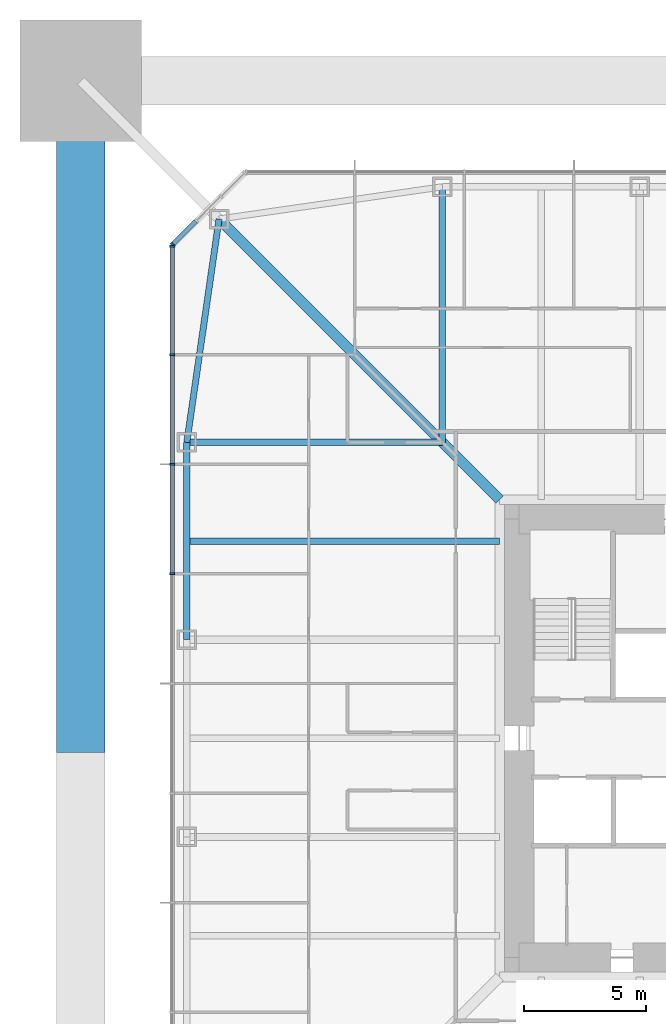
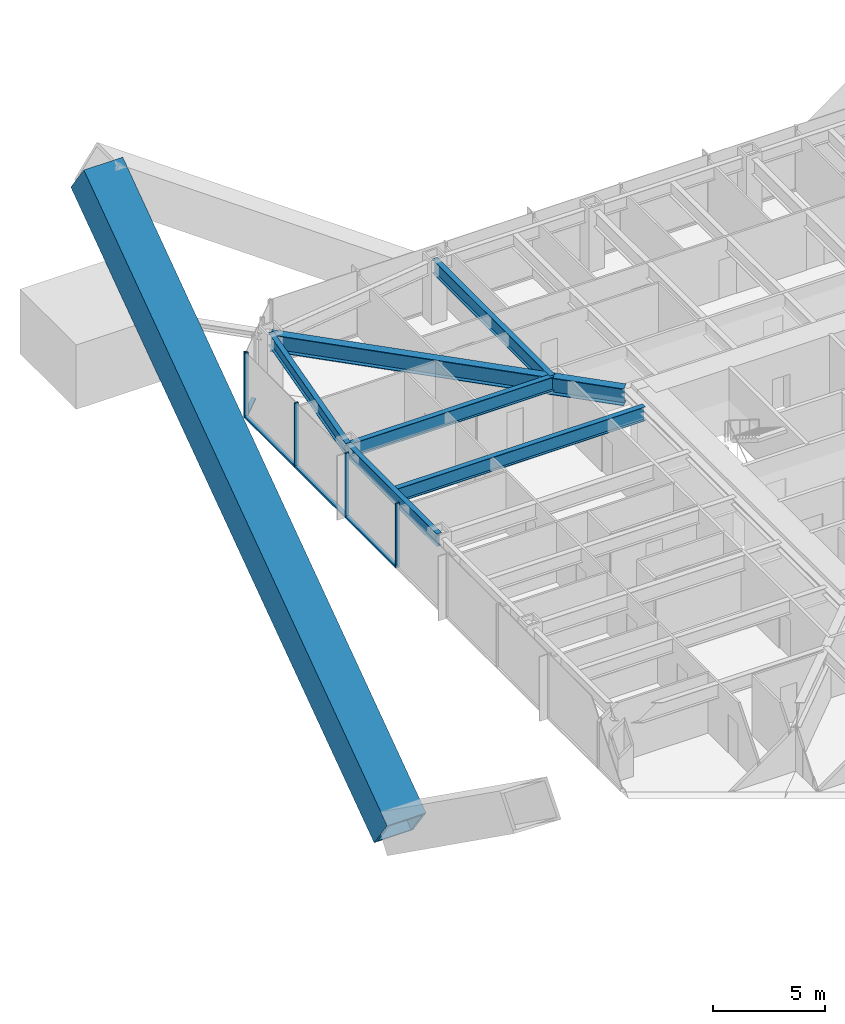
# One storey, part 7 of 28: 10 members, 6 beams, 2 elements without a shape of their own.
"""IFC4 building model written with IfcOpenShell, lengths in metres."""

from ifc_helpers import new_model, si_unit, direction, frame, origin, origin_2d, place, context, subcontext, project, spatial, rectangle, hollow_rectangle, i_section, extrude, material, material_profile, profile_set, type_object, element, aggregate, save


model = new_model("IFC4")

# Units and contexts
model_context = context("Model", 3, precision=1e-05, world=origin(), true_north=direction((0.0, 1.0)))
body_context = subcontext(model_context, "Body", "Model", "MODEL_VIEW")
ifc_project = project(units=[si_unit("LENGTHUNIT", "METRE"), si_unit("AREAUNIT", "SQUARE_METRE"), si_unit("VOLUMEUNIT", "CUBIC_METRE"), si_unit("PLANEANGLEUNIT", "RADIAN"), si_unit("MASSUNIT", "GRAM", prefix="KILO")], contexts=[model_context])

# Site, building, storey
site_placement = place(None, origin())
site = spatial("IfcSite", under=ifc_project, at=site_placement, CompositionType="ELEMENT")
building_placement = place(site_placement, origin())
building = spatial("IfcBuilding", under=site, at=building_placement, Name="Iwan Alto Co-Living Towers", CompositionType="ELEMENT")
storey_placement = place(building_placement, frame((0.0, 0.0, 64.0)))
storey = spatial("IfcBuildingStorey", under=building, at=storey_placement, Name="L17", CompositionType="ELEMENT", Elevation=64.0)

# Curtain wall, members
ifc_material_1 = material(Name="Bronze aluminium unitised frame", Category="aluminium")
curtain_wall_type_1 = type_object("IfcCurtainWallType", Name="CURTAIN WALL CW-A", PredefinedType="NOTDEFINED", material=ifc_material_1)
curtain_wall_1_placement = place(storey_placement, origin())
curtain_wall_1 = element("IfcCurtainWall", 1, at=curtain_wall_1_placement, inside=storey, type_object=curtain_wall_type_1, Name="T1 curtain wall W L17", PredefinedType="NOTDEFINED")
ifc_material_2 = material(Name="Aluminium 6063-T6 bronze anodised", Category="aluminium")
ifc_material_profile_1 = material_profile(ifc_material_2, rectangle(XDim=0.199951171875, YDim=0.080078125, at=origin_2d()), Name="AL 80X200")
ifc_profile_set_1 = profile_set([ifc_material_profile_1], Name="Aluminium 6063-T6 bronze anodised")
member_type_1 = type_object("IfcMemberType", Name="CW-A MULLION 80X200", PredefinedType="MULLION", material=ifc_profile_set_1)
member_1_placement = place(storey_placement, frame((-23.25, 20.2099609375, 0.0), z_axis=(0.0, 0.0, 1.0), x_axis=(1.0, 0.0, 0.0)))
member_1 = element("IfcMember", 2, at=member_1_placement, type_object=member_type_1, Name="CW-A mullion 1", PredefinedType="MULLION", context=body_context, shape_type="SweptSolid", body=[
    extrude(rectangle(XDim=0.199951171875, YDim=0.080078125, at=origin_2d()), origin(), (0.0, 0.0, 1.0), 3.5),
])
member_2_placement = place(storey_placement, frame((-23.25, 15.75, 0.0), z_axis=(0.0, 0.0, 1.0), x_axis=(1.0, 0.0, 0.0)))
member_2 = element("IfcMember", 3, at=member_2_placement, type_object=member_type_1, Name="CW-A mullion 2", PredefinedType="MULLION", context=body_context, shape_type="SweptSolid", body=[
    extrude(rectangle(XDim=0.199951171875, YDim=0.080078125, at=origin_2d()), origin(), (0.0, 0.0, 1.0), 3.5),
])
member_3_placement = place(storey_placement, frame((-23.25, 11.25, 0.0), z_axis=(0.0, 0.0, 1.0), x_axis=(1.0, 0.0, 0.0)))
member_3 = element("IfcMember", 4, at=member_3_placement, type_object=member_type_1, Name="CW-A mullion 3", PredefinedType="MULLION", context=body_context, shape_type="SweptSolid", body=[
    extrude(rectangle(XDim=0.199951171875, YDim=0.080078125, at=origin_2d()), origin(), (0.0, 0.0, 1.0), 3.5),
])
member_4_placement = place(storey_placement, frame((-23.25, 6.75, 0.0), z_axis=(0.0, 0.0, 1.0), x_axis=(1.0, 0.0, 0.0)))
member_4 = element("IfcMember", 5, at=member_4_placement, type_object=member_type_1, Name="CW-A mullion 4", PredefinedType="MULLION", context=body_context, shape_type="SweptSolid", body=[
    extrude(rectangle(XDim=0.199951171875, YDim=0.080078125, at=origin_2d()), origin(), (0.0, 0.0, 1.0), 3.5),
])
ifc_material_3 = material(Name="Aluminium 6063-T6 bronze anodised", Category="aluminium")
ifc_material_profile_2 = material_profile(ifc_material_3, rectangle(XDim=0.199951171875, YDim=0.10009765625, at=origin_2d()), Name="AL 200X100")
ifc_profile_set_2 = profile_set([ifc_material_profile_2], Name="Aluminium 6063-T6 bronze anodised")
member_type_2 = type_object("IfcMemberType", Name="CW-A TRANSOM 200X100", PredefinedType="USERDEFINED", material=ifc_profile_set_2)
member_5_placement = place(storey_placement, frame((-23.25, 20.169921875, 0.050048828125), z_axis=(0.0, -1.0, 0.0), x_axis=(1.0, 0.0, 0.0)))
member_5 = element("IfcMember", 6, at=member_5_placement, type_object=member_type_2, Name="CW-A transom 1.1", ObjectType="TRANSOM", PredefinedType="USERDEFINED", context=body_context, shape_type="SweptSolid", body=[
    extrude(rectangle(XDim=0.199951171875, YDim=0.10009765625, at=origin_2d()), origin(), (0.0, 0.0, 1.0), 4.3798828125),
])
member_6_placement = place(storey_placement, frame((-23.25, 15.7099609375, 0.050048828125), z_axis=(0.0, -1.0, 0.0), x_axis=(1.0, 0.0, 0.0)))
member_6 = element("IfcMember", 7, at=member_6_placement, type_object=member_type_2, Name="CW-A transom 2.1", ObjectType="TRANSOM", PredefinedType="USERDEFINED", context=body_context, shape_type="SweptSolid", body=[
    extrude(rectangle(XDim=0.199951171875, YDim=0.10009765625, at=origin_2d()), origin(), (0.0, 0.0, 1.0), 4.419921875),
])
member_7_placement = place(storey_placement, frame((-23.25, 11.2099609375, 0.050048828125), z_axis=(0.0, -1.0, 0.0), x_axis=(1.0, 0.0, 0.0)))
member_7 = element("IfcMember", 8, at=member_7_placement, type_object=member_type_2, Name="CW-A transom 3.1", ObjectType="TRANSOM", PredefinedType="USERDEFINED", context=body_context, shape_type="SweptSolid", body=[
    extrude(rectangle(XDim=0.199951171875, YDim=0.10009765625, at=origin_2d()), origin(), (0.0, 0.0, 1.0), 4.419921875),
])
aggregate(curtain_wall_1, [member_1, member_2, member_3, member_4, member_5, member_6, member_7])

ifc_material_4 = material(Name="Bronze aluminium unitised frame", Category="aluminium")
curtain_wall_type_2 = type_object("IfcCurtainWallType", Name="CURTAIN WALL CW-B", PredefinedType="NOTDEFINED", material=ifc_material_4)
curtain_wall_2_placement = place(storey_placement, origin())
curtain_wall_2 = element("IfcCurtainWall", 9, at=curtain_wall_2_placement, inside=storey, type_object=curtain_wall_type_2, Name="T1 chamfer curtain wall NW L17", PredefinedType="NOTDEFINED")
ifc_material_5 = material(Name="Aluminium 6063-T6 bronze anodised", Category="aluminium")
ifc_material_profile_3 = material_profile(ifc_material_5, rectangle(XDim=0.199951171875, YDim=0.080078125, at=origin_2d()), Name="AL 80X200")
ifc_profile_set_3 = profile_set([ifc_material_profile_3], Name="Aluminium 6063-T6 bronze anodised")
member_type_3 = type_object("IfcMemberType", Name="CW-B MULLION 80X200", PredefinedType="MULLION", material=ifc_profile_set_3)
member_8_placement = place(storey_placement, frame((-23.2216796875, 20.2783203125, 0.0), z_axis=(0.0, 0.0, 1.0), x_axis=(0.707106781187, -0.707106781187, 0.0)))
member_8 = element("IfcMember", 10, at=member_8_placement, type_object=member_type_3, Name="CW-B mullion 4", PredefinedType="MULLION", context=body_context, shape_type="SweptSolid", body=[
    extrude(rectangle(XDim=0.199951171875, YDim=0.080078125, at=origin_2d()), origin(), (0.0, 0.0, 1.0), 3.5),
])
ifc_material_6 = material(Name="Aluminium 6063-T6 bronze anodised", Category="aluminium")
ifc_material_profile_4 = material_profile(ifc_material_6, rectangle(XDim=0.199951171875, YDim=0.10009765625, at=origin_2d()), Name="AL 200X100")
ifc_profile_set_4 = profile_set([ifc_material_profile_4], Name="Aluminium 6063-T6 bronze anodised")
member_type_4 = type_object("IfcMemberType", Name="CW-B TRANSOM 200X100", PredefinedType="USERDEFINED", material=ifc_profile_set_4)
member_9_placement = place(storey_placement, frame((-22.2783203125, 21.2216796875, 0.050048828125), z_axis=(-0.707106781187, -0.707106781187, 0.0), x_axis=(0.707106781187, -0.707106781187, 0.0)))
member_9 = element("IfcMember", 11, at=member_9_placement, type_object=member_type_4, Name="CW-B transom 3.1", ObjectType="TRANSOM", PredefinedType="USERDEFINED", context=body_context, shape_type="SweptSolid", body=[
    extrude(rectangle(XDim=0.199951171875, YDim=0.10009765625, at=origin_2d()), origin(), (0.0, 0.0, 1.0), 1.2939453125),
])
aggregate(curtain_wall_2, [member_8, member_9])

# Beams
ifc_material_7 = material(Name="Steel ASTM A992 Gr 50", Category="steel")
ifc_material_profile_5 = material_profile(ifc_material_7, i_section(OverallWidth=0.419189453125, OverallDepth=0.927001953125, WebThickness=0.019287109375, FlangeThickness=0.031982421875, at=origin_2d()), Name="W36X231")
ifc_profile_set_5 = profile_set([ifc_material_profile_5], Name="Steel ASTM A992 Gr 50")
beam_type_1 = type_object("IfcBeamType", Name="T1 CORNER GIRDER W36X231", PredefinedType="BEAM", material=ifc_profile_set_5)
beam_1_placement = place(storey_placement, frame((-21.32568359375, 21.32568359375, 2.806396484375), z_axis=(0.707106781187, -0.707106781187, 0.0), x_axis=(0.707106781187, 0.707106781187, 0.0)))
element("IfcBeam", 12, at=beam_1_placement, inside=storey, type_object=beam_type_1, Name="T1 corner girder CNW L18", PredefinedType="BEAM", context=body_context, shape_type="SweptSolid", body=[
    extrude(i_section(OverallWidth=0.419189453125, OverallDepth=0.927001953125, WebThickness=0.019287109375, FlangeThickness=0.031982421875, at=origin_2d()), origin(), (0.0, 0.0, 1.0), 16.30078125),
])
ifc_material_8 = material(Name="Steel ASTM A992 Gr 50", Category="steel")
ifc_material_profile_6 = material_profile(ifc_material_8, i_section(OverallWidth=0.25390625, OverallDepth=0.683349609375, WebThickness=0.012451171875, FlangeThickness=0.018798828125, at=origin_2d()), Name="W27X94")
ifc_profile_set_6 = profile_set([ifc_material_profile_6], Name="Steel ASTM A992 Gr 50")
beam_type_2 = type_object("IfcBeamType", Name="T1 EDGE BEAM W27X94", PredefinedType="BEAM", material=ifc_profile_set_6)
beam_2_placement = place(storey_placement, frame((-21.32568359375, 21.32568359375, 2.928466796875), z_axis=(-0.142836940589, -0.989746234347, 0.0), x_axis=(0.989746234347, -0.142836940589, 0.0)))
element("IfcBeam", 13, at=beam_2_placement, inside=storey, type_object=beam_type_2, Name="T1 edge beam CNW L18", PredefinedType="BEAM", context=body_context, shape_type="SweptSolid", body=[
    extrude(i_section(OverallWidth=0.25390625, OverallDepth=0.683349609375, WebThickness=0.012451171875, FlangeThickness=0.018798828125, at=origin_2d()), origin(), (0.0, 0.0, 1.0), 9.270751953125),
])
beam_3_placement = place(storey_placement, frame((-22.64990234375, 12.14990234375, 2.928466796875), z_axis=(0.0, -1.0, 0.0), x_axis=(1.0, 0.0, 0.0)))
element("IfcBeam", 14, at=beam_3_placement, inside=storey, type_object=beam_type_2, Name="T1 edge beam W1 L18", PredefinedType="BEAM", context=body_context, shape_type="SweptSolid", body=[
    extrude(i_section(OverallWidth=0.25390625, OverallDepth=0.683349609375, WebThickness=0.012451171875, FlangeThickness=0.018798828125, at=origin_2d()), origin(), (0.0, 0.0, 1.0), 8.099853515625),
])

# Member
ifc_material_9 = material(Name="Steel ASTM A572 Gr 42", Category="steel")
ifc_material_profile_7 = material_profile(ifc_material_9, hollow_rectangle(XDim=2.0, YDim=2.0, WallThickness=0.139892578125, at=origin_2d()), Name="BOX 2000X2000X140")
ifc_profile_set_7 = profile_set([ifc_material_profile_7], Name="Steel ASTM A572 Gr 42")
member_type_5 = type_object("IfcMemberType", Name="T1 MEGA BRACE BOX 2000X2000X140", PredefinedType="BRACE", material=ifc_profile_set_7)
member_10_placement = place(storey_placement, frame((-27.0, 0.0, -8.75), z_axis=(0.0, 0.814242569702, 0.580524795065), x_axis=(-1.0, 0.0, 0.0)))
element("IfcMember", 15, at=member_10_placement, inside=storey, type_object=member_type_5, Name="T1 mega brace Z1B W 2 upper", PredefinedType="BRACE", context=body_context, shape_type="SweptSolid", body=[
    extrude(hollow_rectangle(XDim=2.0, YDim=2.0, WallThickness=0.139892578125, at=origin_2d()), origin(), (0.0, 0.0, 1.0), 33.15966796875),
])

# Beams
ifc_material_10 = material(Name="Steel ASTM A992 Gr 50", Category="steel")
ifc_material_profile_8 = material_profile(ifc_material_10, i_section(OverallWidth=0.2666015625, OverallDepth=0.761962890625, WebThickness=0.014404296875, FlangeThickness=0.021484375, at=origin_2d()), Name="W30X116")
ifc_profile_set_8 = profile_set([ifc_material_profile_8], Name="Steel ASTM A992 Gr 50")
beam_type_3 = type_object("IfcBeamType", Name="T1 RADIAL BEAM W30X116", PredefinedType="BEAM", material=ifc_profile_set_8)
for number, where, z_axis, x_axis, name in (
    (16, (-12.14990234375, 22.64990234375, 2.888916015625), (0.0, -1.0, 0.0), (1.0, 0.0, 0.0), "T1 radial beam N4 L18"),
    (17, (-22.64990234375, 12.14990234375, 2.888916015625), (1.0, 0.0, 0.0), (0.0, 1.0, 0.0), "T1 radial beam W1 L18"),
):
    element("IfcBeam", number, at=place(storey_placement, frame(where, z_axis=z_axis, x_axis=x_axis)), inside=storey, type_object=beam_type_3, Name=name, PredefinedType="BEAM", context=body_context, shape_type="SweptSolid", body=[
        extrude(i_section(OverallWidth=0.2666015625, OverallDepth=0.761962890625, WebThickness=0.014404296875, FlangeThickness=0.021484375, at=origin_2d()), origin(), (0.0, 0.0, 1.0), 10.5),
    ])
ifc_material_11 = material(Name="Steel ASTM A992 Gr 50", Category="steel")
ifc_material_profile_9 = material_profile(ifc_material_11, i_section(OverallWidth=0.2666015625, OverallDepth=0.761962890625, WebThickness=0.014404296875, FlangeThickness=0.021484375, at=origin_2d()), Name="W30X116")
ifc_profile_set_9 = profile_set([ifc_material_profile_9], Name="Steel ASTM A992 Gr 50")
beam_type_4 = type_object("IfcBeamType", Name="T1 SECONDARY BEAM W30X116", PredefinedType="JOIST", material=ifc_profile_set_9)
beam_4_placement = place(storey_placement, frame((-22.64990234375, 8.10009765625, 2.888916015625), z_axis=(1.0, 0.0, 0.0), x_axis=(0.0, 1.0, 0.0)))
element("IfcBeam", 18, at=beam_4_placement, inside=storey, type_object=beam_type_4, Name="T1 secondary beam W1 L18", PredefinedType="JOIST", context=body_context, shape_type="SweptSolid", body=[
    extrude(i_section(OverallWidth=0.2666015625, OverallDepth=0.761962890625, WebThickness=0.014404296875, FlangeThickness=0.021484375, at=origin_2d()), origin(), (0.0, 0.0, 1.0), 12.8505859375),
])

save(model, "model.ifc")
